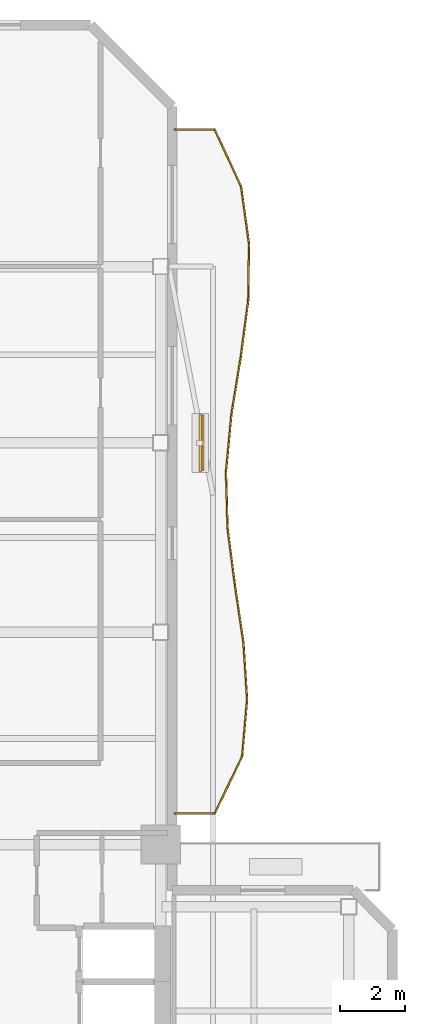
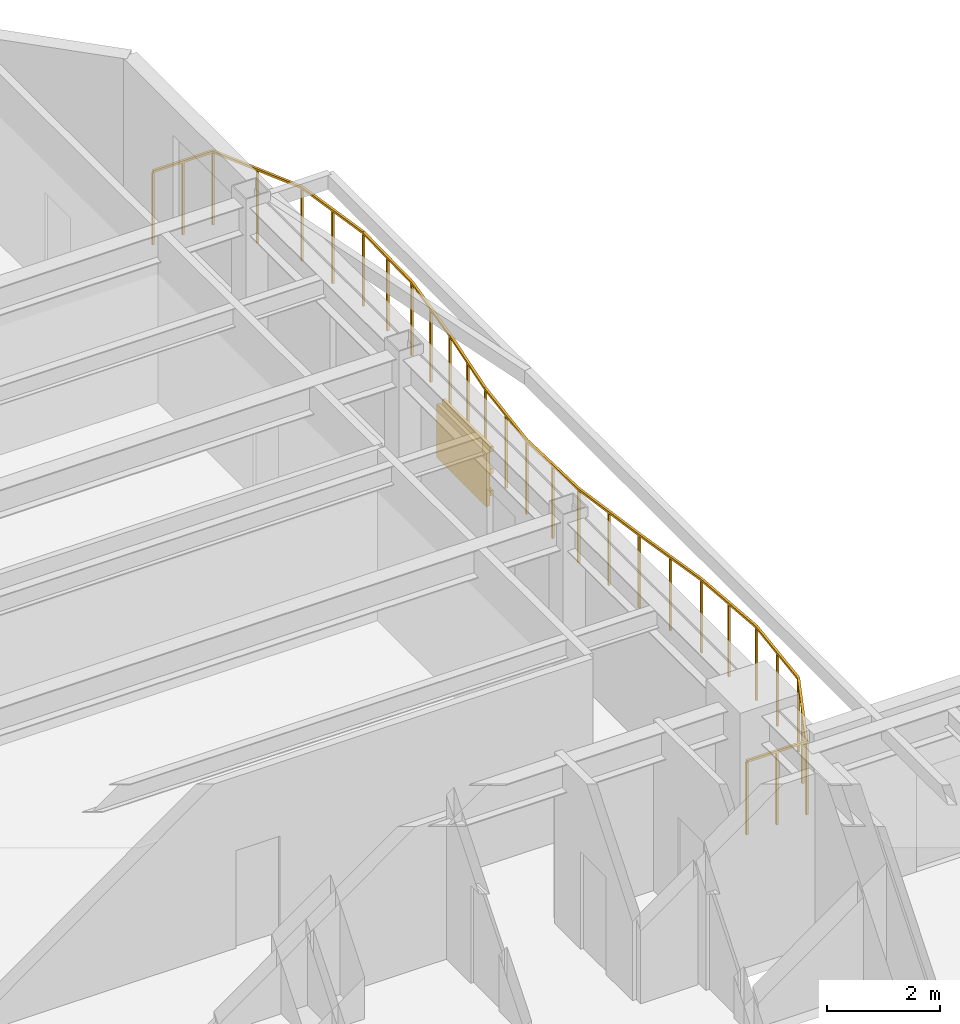
# One storey, part 10 of 10: 4 shading devices, 1 railing.
"""IFC4 building model written with IfcOpenShell, lengths in metres."""

from ifc_helpers import new_model, si_unit, direction, frame, origin, origin_2d, place, context, subcontext, project, spatial, rectangle, extrude, material, layer, layer_set, material_profile, profile_set, type_object, element, save


model = new_model("IFC4")

# Units and contexts
model_context = context("Model", 3, precision=1e-05, world=origin(), true_north=direction((0.0, 1.0)))
body_context = subcontext(model_context, "Body", "Model", "MODEL_VIEW")
ifc_project = project(units=[si_unit("LENGTHUNIT", "METRE"), si_unit("AREAUNIT", "SQUARE_METRE"), si_unit("VOLUMEUNIT", "CUBIC_METRE"), si_unit("PLANEANGLEUNIT", "RADIAN"), si_unit("MASSUNIT", "GRAM", prefix="KILO")], contexts=[model_context])

# Site, building, storey
site_placement = place(None, origin())
site = spatial("IfcSite", under=ifc_project, at=site_placement, CompositionType="ELEMENT")
building_placement = place(site_placement, origin())
building = spatial("IfcBuilding", under=site, at=building_placement, Name="Mawjaban Terraces University", CompositionType="ELEMENT")
storey_placement = place(building_placement, frame((0.0, 0.0, 158.0)))
storey = spatial("IfcBuildingStorey", under=building, at=storey_placement, Name="L38", CompositionType="ELEMENT", Elevation=158.0)

# Railing
ifc_material_1 = material(Name="Galvanised powder-coated steel S355", Category="steel")
railing_type = type_object("IfcRailingType", Name="BalconyBalustrade_1600", PredefinedType="BALUSTRADE", material=ifc_material_1)
railing_placement = place(storey_placement, frame((38.080078125, 24.449951171875, 0.0)))
element("IfcRailing", 1, at=railing_placement, inside=storey, type_object=railing_type, Name="L38 Balcony Guardrail inner_east", PredefinedType="BALUSTRADE", context=body_context, shape_type="SweptSolid", body=[
    extrude(rectangle(XDim=0.048095703125, YDim=0.048095703125, at=origin_2d()), frame((0.0, 0.0, 1.576171875), z_axis=(1.0, 0.0, 0.0), x_axis=(0.0, 1.0, 0.0)), (0.0, 0.0, 1.0), 1.219970703125),
    extrude(rectangle(XDim=0.048095703125, YDim=0.048095703125, at=origin_2d()), frame((1.219970703125, 0.0, 1.576171875), z_axis=(0.433451885261, 0.901176710287, 0.0), x_axis=(-0.901176710287, 0.433451885261, 0.0)), (0.0, 0.0, 1.0), 1.9375),
    extrude(rectangle(XDim=0.048095703125, YDim=0.048095703125, at=origin_2d()), frame((2.059814453125, 1.74609375, 1.576171875), z_axis=(0.087344942765, 0.996178127131, 0.0), x_axis=(-0.996178127131, 0.087344942765, 0.0)), (0.0, 0.0, 1.0), 1.75244140625),
    extrude(rectangle(XDim=0.048095703125, YDim=0.048095703125, at=origin_2d()), frame((2.212890625, 3.491943359375, 1.576171875), z_axis=(-0.064601908033, 0.997911115019, 0.0), x_axis=(-0.997911115019, -0.064601908033, 0.0)), (0.0, 0.0, 1.0), 1.749755859375),
    extrude(rectangle(XDim=0.048095703125, YDim=0.048095703125, at=origin_2d()), frame((2.099853515625, 5.238037109375, 1.576171875), z_axis=(-0.146824492891, 0.989162559081, 0.0), x_axis=(-0.989162559081, -0.146824492891, 0.0)), (0.0, 0.0, 1.0), 1.76416015625),
    extrude(rectangle(XDim=0.048095703125, YDim=0.048095703125, at=origin_2d()), frame((1.8408203125, 6.983154296875, 1.576171875), z_axis=(-0.128829316295, 0.991666782373, 0.0), x_axis=(-0.991666782373, -0.128829316295, 0.0)), (0.0, 0.0, 1.0), 1.760498046875),
    extrude(rectangle(XDim=0.048095703125, YDim=0.048095703125, at=origin_2d()), frame((1.614013671875, 8.72900390625, 1.576171875), z_axis=(-0.027534299396, 0.999620859305, 0.0), x_axis=(-0.999620859305, -0.027534299396, 0.0)), (0.0, 0.0, 1.0), 1.746826171875),
    extrude(rectangle(XDim=0.048095703125, YDim=0.048095703125, at=origin_2d()), frame((1.56591796875, 10.47509765625, 1.576171875), z_axis=(0.094664560806, 0.995509226942, 0.0), x_axis=(-0.995509226942, 0.094664560806, 0.0)), (0.0, 0.0, 1.0), 1.753662109375),
    extrude(rectangle(XDim=0.048095703125, YDim=0.048095703125, at=origin_2d()), frame((1.73193359375, 12.220947265625, 1.576171875), z_axis=(0.160503634631, 0.987035249254, 0.0), x_axis=(-0.987035249254, 0.160503634631, 0.0)), (0.0, 0.0, 1.0), 1.76904296875),
    extrude(rectangle(XDim=0.048095703125, YDim=0.048095703125, at=origin_2d()), frame((2.015869140625, 13.967041015625, 1.576171875), z_axis=(0.131200701241, 0.991355827135, 0.0), x_axis=(-0.991355827135, 0.131200701241, 0.0)), (0.0, 0.0, 1.0), 1.76025390625),
    extrude(rectangle(XDim=0.048095703125, YDim=0.048095703125, at=origin_2d()), frame((2.246826171875, 15.712158203125, 1.576171875), z_axis=(0.013283683116, 0.999911767989, 0.0), x_axis=(-0.999911767989, 0.013283683116, 0.0)), (0.0, 0.0, 1.0), 1.74609375),
    extrude(rectangle(XDim=0.048095703125, YDim=0.048095703125, at=origin_2d()), frame((2.27001953125, 17.4580078125, 1.576171875), z_axis=(-0.137930665471, 0.990441886999, 0.0), x_axis=(-0.990441886999, -0.137930665471, 0.0)), (0.0, 0.0, 1.0), 1.762939453125),
    extrude(rectangle(XDim=0.048095703125, YDim=0.048095703125, at=origin_2d()), frame((2.02685546875, 19.2041015625, 1.576171875), z_axis=(-0.419533057374, 0.907740058481, 0.0), x_axis=(-0.907740058481, -0.419533057374, 0.0)), (0.0, 0.0, 1.0), 1.92333984375),
    extrude(rectangle(XDim=0.048095703125, YDim=0.048095703125, at=origin_2d()), frame((1.219970703125, 20.949951171875, 1.576171875), z_axis=(-1.0, 0.0, 0.0), x_axis=(0.0, -1.0, 0.0)), (0.0, 0.0, 1.0), 1.219970703125),
    extrude(rectangle(XDim=0.0419921875, YDim=0.0419921875, at=origin_2d()), origin(), (0.0, 0.0, 1.0), 1.552001953125),
    extrude(rectangle(XDim=0.0419921875, YDim=0.0419921875, at=origin_2d()), frame((0.60986328125, 0.0, 0.0)), (0.0, 0.0, 1.0), 1.552001953125),
    extrude(rectangle(XDim=0.0419921875, YDim=0.0419921875, at=origin_2d()), frame((1.219970703125, 0.0, 0.0)), (0.0, 0.0, 1.0), 1.552001953125),
    extrude(rectangle(XDim=0.0419921875, YDim=0.0419921875, at=origin_2d()), frame((1.639892578125, 0.873046875, 0.0)), (0.0, 0.0, 1.0), 1.552001953125),
    extrude(rectangle(XDim=0.0419921875, YDim=0.0419921875, at=origin_2d()), frame((2.059814453125, 1.74609375, 0.0)), (0.0, 0.0, 1.0), 1.552001953125),
    extrude(rectangle(XDim=0.0419921875, YDim=0.0419921875, at=origin_2d()), frame((2.13623046875, 2.619140625, 0.0)), (0.0, 0.0, 1.0), 1.552001953125),
    extrude(rectangle(XDim=0.0419921875, YDim=0.0419921875, at=origin_2d()), frame((2.212890625, 3.491943359375, 0.0)), (0.0, 0.0, 1.0), 1.552001953125),
    extrude(rectangle(XDim=0.0419921875, YDim=0.0419921875, at=origin_2d()), frame((2.15625, 4.364990234375, 0.0)), (0.0, 0.0, 1.0), 1.552001953125),
    extrude(rectangle(XDim=0.0419921875, YDim=0.0419921875, at=origin_2d()), frame((2.099853515625, 5.238037109375, 0.0)), (0.0, 0.0, 1.0), 1.552001953125),
    extrude(rectangle(XDim=0.0419921875, YDim=0.0419921875, at=origin_2d()), frame((1.97021484375, 6.110595703125, 0.0)), (0.0, 0.0, 1.0), 1.552001953125),
    extrude(rectangle(XDim=0.0419921875, YDim=0.0419921875, at=origin_2d()), frame((1.8408203125, 6.983154296875, 0.0)), (0.0, 0.0, 1.0), 1.552001953125),
    extrude(rectangle(XDim=0.0419921875, YDim=0.0419921875, at=origin_2d()), frame((1.7275390625, 7.85595703125, 0.0)), (0.0, 0.0, 1.0), 1.552001953125),
    extrude(rectangle(XDim=0.0419921875, YDim=0.0419921875, at=origin_2d()), frame((1.614013671875, 8.72900390625, 0.0)), (0.0, 0.0, 1.0), 1.552001953125),
    extrude(rectangle(XDim=0.0419921875, YDim=0.0419921875, at=origin_2d()), frame((1.58984375, 9.60205078125, 0.0)), (0.0, 0.0, 1.0), 1.552001953125),
    extrude(rectangle(XDim=0.0419921875, YDim=0.0419921875, at=origin_2d()), frame((1.56591796875, 10.47509765625, 0.0)), (0.0, 0.0, 1.0), 1.552001953125),
    extrude(rectangle(XDim=0.0419921875, YDim=0.0419921875, at=origin_2d()), frame((1.64892578125, 11.34814453125, 0.0)), (0.0, 0.0, 1.0), 1.552001953125),
    extrude(rectangle(XDim=0.0419921875, YDim=0.0419921875, at=origin_2d()), frame((1.73193359375, 12.220947265625, 0.0)), (0.0, 0.0, 1.0), 1.552001953125),
    extrude(rectangle(XDim=0.0419921875, YDim=0.0419921875, at=origin_2d()), frame((1.8740234375, 13.093994140625, 0.0)), (0.0, 0.0, 1.0), 1.552001953125),
    extrude(rectangle(XDim=0.0419921875, YDim=0.0419921875, at=origin_2d()), frame((2.015869140625, 13.967041015625, 0.0)), (0.0, 0.0, 1.0), 1.552001953125),
    extrude(rectangle(XDim=0.0419921875, YDim=0.0419921875, at=origin_2d()), frame((2.13134765625, 14.839599609375, 0.0)), (0.0, 0.0, 1.0), 1.552001953125),
    extrude(rectangle(XDim=0.0419921875, YDim=0.0419921875, at=origin_2d()), frame((2.246826171875, 15.712158203125, 0.0)), (0.0, 0.0, 1.0), 1.552001953125),
    extrude(rectangle(XDim=0.0419921875, YDim=0.0419921875, at=origin_2d()), frame((2.25830078125, 16.5849609375, 0.0)), (0.0, 0.0, 1.0), 1.552001953125),
    extrude(rectangle(XDim=0.0419921875, YDim=0.0419921875, at=origin_2d()), frame((2.27001953125, 17.4580078125, 0.0)), (0.0, 0.0, 1.0), 1.552001953125),
    extrude(rectangle(XDim=0.0419921875, YDim=0.0419921875, at=origin_2d()), frame((2.1484375, 18.3310546875, 0.0)), (0.0, 0.0, 1.0), 1.552001953125),
    extrude(rectangle(XDim=0.0419921875, YDim=0.0419921875, at=origin_2d()), frame((2.02685546875, 19.2041015625, 0.0)), (0.0, 0.0, 1.0), 1.552001953125),
    extrude(rectangle(XDim=0.0419921875, YDim=0.0419921875, at=origin_2d()), frame((1.62353515625, 20.0771484375, 0.0)), (0.0, 0.0, 1.0), 1.552001953125),
    extrude(rectangle(XDim=0.0419921875, YDim=0.0419921875, at=origin_2d()), frame((1.219970703125, 20.949951171875, 0.0)), (0.0, 0.0, 1.0), 1.552001953125),
    extrude(rectangle(XDim=0.0419921875, YDim=0.0419921875, at=origin_2d()), frame((0.60986328125, 20.949951171875, 0.0)), (0.0, 0.0, 1.0), 1.552001953125),
    extrude(rectangle(XDim=0.0419921875, YDim=0.0419921875, at=origin_2d()), frame((0.0, 20.949951171875, 0.0)), (0.0, 0.0, 1.0), 1.552001953125),
])

# Shading devices
ifc_material_2 = material(Name="Glazed architectural terracotta ceramic", Category="masonry")
ifc_material_profile = material_profile(ifc_material_2, rectangle(XDim=0.06494140625, YDim=0.110107421875, at=origin_2d()), Name="TBAG110X65")
ifc_profile_set = profile_set([ifc_material_profile], Name="Glazed architectural terracotta ceramic")
shading_device_type_1 = type_object("IfcShadingDeviceType", Name="TerracottaBaguette_110x65", PredefinedType="USERDEFINED", material=ifc_profile_set)
for number, where, z_axis, x_axis, name in (
    (2, (38.944091796875, 34.947998046875, 0.679931640625), (0.0, 1.0, 0.0), (-1.0, 0.0, 0.0), "L38 Horizontal Terracotta Baguette inner_east.1"),
    (3, (38.944091796875, 34.947998046875, 1.14990234375), (0.0, 1.0, 0.0), (-1.0, 0.0, 0.0), "L38 Horizontal Terracotta Baguette inner_east.2"),
    (4, (38.944091796875, 34.947998046875, 1.6201171875), (0.0, 1.0, 0.0), (-1.0, 0.0, 0.0), "L38 Horizontal Terracotta Baguette inner_east.3"),
):
    element("IfcShadingDevice", number, at=place(storey_placement, frame(where, z_axis=z_axis, x_axis=x_axis)), inside=storey, type_object=shading_device_type_1, Name=name, ObjectType="BAGUETTE", PredefinedType="USERDEFINED", context=body_context, shape_type="SweptSolid", body=[
        extrude(rectangle(XDim=0.06494140625, YDim=0.110107421875, at=origin_2d()), origin(), (0.0, 0.0, 1.0), 1.699951171875),
    ])
ifc_layer = layer(ifc_material_2, 0.080078125)
ifc_layer_set = layer_set([ifc_layer], Name="Glazed architectural terracotta ceramic")
shading_device_type_2 = type_object("IfcShadingDeviceType", Name="TerracottaScreen_Perforated", PredefinedType="USERDEFINED", material=ifc_layer_set)
shading_device_placement = place(storey_placement, frame((38.85888671875, 35.798095703125, 0.43994140625), z_axis=(0.0, 0.0, 1.0), x_axis=(0.0, 1.0, 0.0)))
element("IfcShadingDevice", 5, at=shading_device_placement, inside=storey, type_object=shading_device_type_2, Name="L38 Balcony Perforated Terracotta Screen inner_east", ObjectType="SCREEN", PredefinedType="USERDEFINED", context=body_context, shape_type="SweptSolid", body=[
    extrude(rectangle(XDim=1.75, YDim=0.080078125, at=origin_2d()), origin(), (0.0, 0.0, 1.0), 1.14990234375),
])

save(model, "model.ifc")
